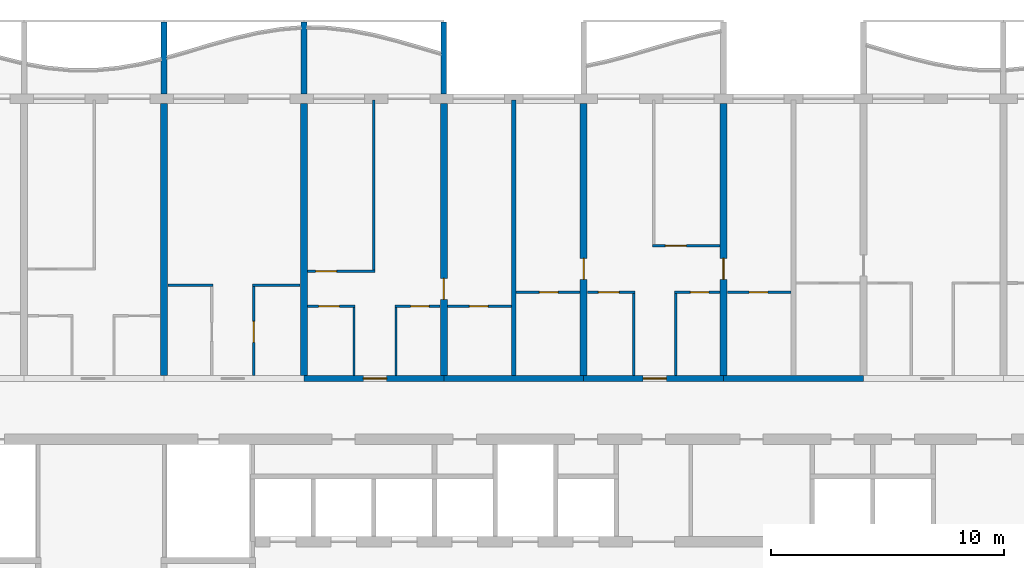
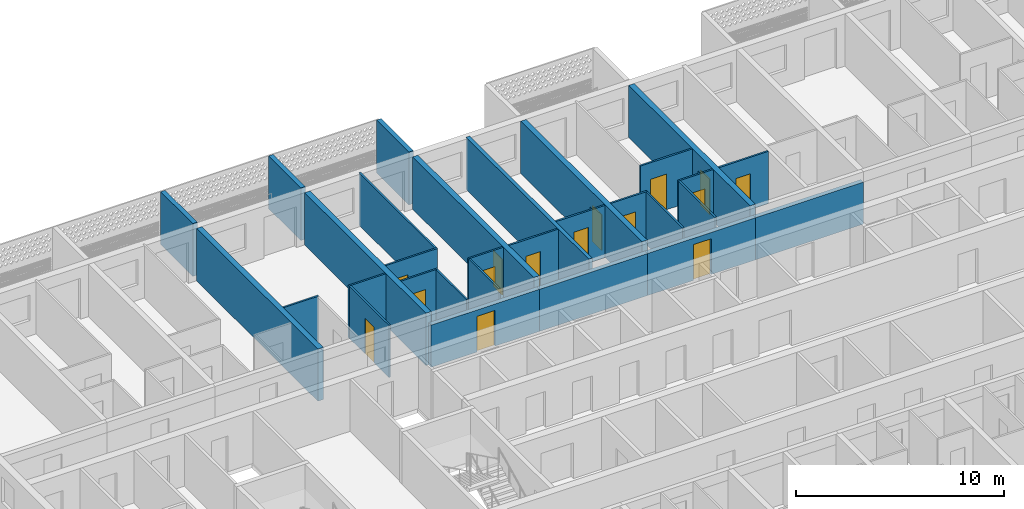
# One storey, part 9 of 32: 30 walls, 15 doors, 15 openings.
"""IFC4 building model written with IfcOpenShell, lengths in metres."""

from ifc_helpers import new_model, si_unit, direction, frame, frame_2d, origin, place, context, subcontext, project, spatial, polyline, rectangle, outline, extrude, source, transform, mapped, material, layer, layer_set, type_object, element, fill, save


model = new_model("IFC4")

# Units and contexts
model_context = context("Model", 3, precision=1e-05, world=origin(), true_north=direction((0.0, 1.0)))
body_context = subcontext(model_context, "Body", "Model", "MODEL_VIEW")
ifc_project = project(units=[si_unit("LENGTHUNIT", "METRE"), si_unit("AREAUNIT", "SQUARE_METRE"), si_unit("VOLUMEUNIT", "CUBIC_METRE"), si_unit("PLANEANGLEUNIT", "RADIAN"), si_unit("MASSUNIT", "GRAM", prefix="KILO")], contexts=[model_context])

# Site, building, storey
site_placement = place(None, origin())
site = spatial("IfcSite", under=ifc_project, at=site_placement, CompositionType="ELEMENT")
building_placement = place(site_placement, origin())
building = spatial("IfcBuilding", under=site, at=building_placement, Name="Poui Terraces", CompositionType="ELEMENT")
storey_placement = place(building_placement, frame((0.0, 0.0, 129.0)))
storey = spatial("IfcBuildingStorey", under=building, at=storey_placement, Name="L35", CompositionType="ELEMENT", Elevation=129.0)

# Wall, opening, door
ifc_material_1 = material(Name="Concrete 65 MPa", Category="concrete")
ifc_layer_1 = layer(ifc_material_1, 0.25)
ifc_layer_set_1 = layer_set([ifc_layer_1], Name="Concrete 65 MPa")
wall_type_1 = type_object("IfcWallType", Name="CORRIDOR WALL 250 65MPa", PredefinedType="SHEAR", material=ifc_layer_set_1)
wall_1_placement = place(storey_placement, frame((36.0, 30.39990234375, 0.0), z_axis=(0.0, 0.0, 1.0), x_axis=(1.0, 0.0, 0.0)))
wall_1 = element("IfcWall", 1, at=wall_1_placement, inside=storey, type_object=wall_type_1, Name="CORRIDOR WALL LINE E BAY 5", PredefinedType="SHEAR", context=body_context, shape_type="SweptSolid", body=[
    extrude(rectangle(XDim=6.0, YDim=0.25, at=frame_2d((3.0, 0.0))), origin(), (0.0, 0.0, 1.0), 2.469970703125),
])
opening_1_placement = place(wall_1_placement, frame((2.550048828125, 0.0, 0.0)))
opening_1 = element("IfcOpeningElement", 2, at=opening_1_placement, cuts=wall_1, Name="Opening FD30S", PredefinedType="OPENING", context=body_context, shape_type="SweptSolid", body=[
    extrude(rectangle(XDim=1.0, YDim=2.10009765625, at=frame_2d((0.5, 1.050048828125))), frame((0.0, 0.135009765625, 0.0), z_axis=(0.0, -1.0, 0.0), x_axis=(1.0, 0.0, 0.0)), (0.0, 0.0, 1.0), 0.27001953125),
])
ifc_material_2 = material(Name="Steel fire door", Category="steel")
door_type_1 = type_object("IfcDoorType", Name="FLAT ENTRANCE DOOR 1000 X 2100", OperationType="NOTDEFINED", PredefinedType="DOOR", material=ifc_material_2)
door_1_placement = place(opening_1_placement, origin())
door_1 = element("IfcDoor", 3, at=door_1_placement, inside=storey, type_object=door_type_1, Name="FLAT ENTRANCE DOOR 049", OperationType="SINGLE_SWING_RIGHT", OverallHeight=2.10009765625, OverallWidth=1.0, PredefinedType="DOOR", context=body_context, shape_type="SweptSolid", body=[
    extrude(rectangle(XDim=1.0, YDim=2.10009765625, at=frame_2d((0.5, 1.050048828125))), frame((0.0, 0.02490234375, 0.0), z_axis=(0.0, -1.0, 0.0), x_axis=(1.0, 0.0, 0.0)), (0.0, 0.0, 1.0), 0.050048828125),
])
fill(opening_1, door_1)

# Wall
wall_2_placement = place(storey_placement, frame((42.0, 30.39990234375, 0.0), z_axis=(0.0, 0.0, 1.0), x_axis=(1.0, 0.0, 0.0)))
element("IfcWall", 4, at=wall_2_placement, inside=storey, type_object=wall_type_1, Name="CORRIDOR WALL LINE E BAY 6", PredefinedType="SHEAR", context=body_context, shape_type="SweptSolid", body=[
    extrude(rectangle(XDim=6.0, YDim=0.25, at=frame_2d((3.0, 0.0))), origin(), (0.0, 0.0, 1.0), 2.469970703125),
])

# Wall, opening, door
wall_3_placement = place(storey_placement, frame((48.0, 30.39990234375, 0.0), z_axis=(0.0, 0.0, 1.0), x_axis=(1.0, 0.0, 0.0)))
wall_3 = element("IfcWall", 5, at=wall_3_placement, inside=storey, type_object=wall_type_1, Name="CORRIDOR WALL LINE E BAY 7", PredefinedType="SHEAR", context=body_context, shape_type="SweptSolid", body=[
    extrude(rectangle(XDim=6.0, YDim=0.25, at=frame_2d((3.0, 0.0))), origin(), (0.0, 0.0, 1.0), 2.469970703125),
])
opening_2_placement = place(wall_3_placement, frame((2.550048828125, 0.0, 0.0)))
opening_2 = element("IfcOpeningElement", 6, at=opening_2_placement, cuts=wall_3, Name="Opening FD30S", PredefinedType="OPENING", context=body_context, shape_type="SweptSolid", body=[
    extrude(rectangle(XDim=1.0, YDim=2.10009765625, at=frame_2d((0.5, 1.050048828125))), frame((0.0, 0.135009765625, 0.0), z_axis=(0.0, -1.0, 0.0), x_axis=(1.0, 0.0, 0.0)), (0.0, 0.0, 1.0), 0.27001953125),
])
door_2_placement = place(opening_2_placement, origin())
door_2 = element("IfcDoor", 7, at=door_2_placement, inside=storey, type_object=door_type_1, Name="FLAT ENTRANCE DOOR 056", OperationType="SINGLE_SWING_RIGHT", OverallHeight=2.10009765625, OverallWidth=1.0, PredefinedType="DOOR", context=body_context, shape_type="SweptSolid", body=[
    extrude(rectangle(XDim=1.0, YDim=2.10009765625, at=frame_2d((0.5, 1.050048828125))), frame((0.0, 0.02490234375, 0.0), z_axis=(0.0, -1.0, 0.0), x_axis=(1.0, 0.0, 0.0)), (0.0, 0.0, 1.0), 0.050048828125),
])
fill(opening_2, door_2)

# Walls
wall_4_placement = place(storey_placement, frame((54.0, 30.39990234375, 0.0), z_axis=(0.0, 0.0, 1.0), x_axis=(1.0, 0.0, 0.0)))
element("IfcWall", 8, at=wall_4_placement, inside=storey, type_object=wall_type_1, Name="CORRIDOR WALL LINE E BAY 8", PredefinedType="SHEAR", context=body_context, shape_type="SweptSolid", body=[
    extrude(rectangle(XDim=6.0, YDim=0.25, at=frame_2d((3.0, 0.0))), origin(), (0.0, 0.0, 1.0), 2.469970703125),
])
ifc_layer_2 = layer(ifc_material_1, 0.300048828125)
ifc_layer_set_2 = layer_set([ifc_layer_2], Name="Concrete 65 MPa")
wall_type_2 = type_object("IfcWallType", Name="CROSS WALL 300 65MPa", PredefinedType="SHEAR", material=ifc_layer_set_2)
for number, where, z_axis, x_axis, name in (
    (9, (30.0, 30.52490234375, 0.0), (0.0, 0.0, 1.0), (0.0, 1.0, 0.0), "CROSS WALL LINE 6 NORTH"),
    (10, (36.0, 30.52490234375, 0.0), (0.0, 0.0, 1.0), (0.0, 1.0, 0.0), "CROSS WALL LINE 7 NORTH"),
):
    element("IfcWall", number, at=place(storey_placement, frame(where, z_axis=z_axis, x_axis=x_axis)), inside=storey, type_object=wall_type_2, Name=name, PredefinedType="SHEAR", context=body_context, shape_type="SweptSolid", body=[
        extrude(rectangle(XDim=11.675048828125, YDim=0.300048828125, at=frame_2d((5.83740234375, 0.0))), origin(), (0.0, 0.0, 1.0), 3.070068359375),
    ])

# Wall, opening, door
wall_5_placement = place(storey_placement, frame((42.0, 30.52490234375, 0.0), z_axis=(0.0, 0.0, 1.0), x_axis=(0.0, 1.0, 0.0)))
wall_5 = element("IfcWall", 11, at=wall_5_placement, inside=storey, type_object=wall_type_2, Name="CROSS WALL LINE 8 NORTH", PredefinedType="SHEAR", context=body_context, shape_type="SweptSolid", body=[
    extrude(rectangle(XDim=11.675048828125, YDim=0.300048828125, at=frame_2d((5.83740234375, 0.0))), origin(), (0.0, 0.0, 1.0), 3.070068359375),
])
opening_3_placement = place(wall_5_placement, frame((3.27490234375, 0.0, 0.0)))
opening_3 = element("IfcOpeningElement", 12, at=opening_3_placement, cuts=wall_5, Name="Opening D90", PredefinedType="OPENING", context=body_context, shape_type="SweptSolid", body=[
    extrude(rectangle(XDim=0.89990234375, YDim=2.10009765625, at=frame_2d((0.449951171875, 1.050048828125))), frame((0.0, 0.16015625, 0.0), z_axis=(0.0, -1.0, 0.0), x_axis=(1.0, 0.0, 0.0)), (0.0, 0.0, 1.0), 0.320068359375),
])
ifc_material_3 = material(Name="Solid core timber door", Category="wood")
door_type_2 = type_object("IfcDoorType", Name="INTERNAL DOOR 900 X 2100", OperationType="NOTDEFINED", PredefinedType="DOOR", material=ifc_material_3)
door_3_placement = place(opening_3_placement, frame((0.89990234375, 0.0, 0.0), z_axis=(0.0, 0.0, 1.0), x_axis=(-1.0, 0.0, 0.0)))
door_3 = element("IfcDoor", 13, at=door_3_placement, inside=storey, type_object=door_type_2, Name="INTERNAL DOOR 051", OperationType="SINGLE_SWING_RIGHT", OverallHeight=2.10009765625, OverallWidth=0.89990234375, PredefinedType="DOOR", context=body_context, shape_type="SweptSolid", body=[
    extrude(rectangle(XDim=0.89990234375, YDim=2.10009765625, at=frame_2d((0.449951171875, 1.050048828125))), frame((0.0, 0.02490234375, 0.0), z_axis=(0.0, -1.0, 0.0), x_axis=(1.0, 0.0, 0.0)), (0.0, 0.0, 1.0), 0.050048828125),
])
fill(opening_3, door_3)

wall_6_placement = place(storey_placement, frame((48.0, 30.52490234375, 0.0), z_axis=(0.0, 0.0, 1.0), x_axis=(0.0, 1.0, 0.0)))
wall_6 = element("IfcWall", 14, at=wall_6_placement, inside=storey, type_object=wall_type_2, Name="CROSS WALL LINE 9 NORTH", PredefinedType="SHEAR", context=body_context, shape_type="SweptSolid", body=[
    extrude(rectangle(XDim=11.675048828125, YDim=0.300048828125, at=frame_2d((5.83740234375, 0.0))), origin(), (0.0, 0.0, 1.0), 3.070068359375),
])
opening_4_placement = place(wall_6_placement, frame((4.125, 0.0, 0.0)))
opening_4 = element("IfcOpeningElement", 15, at=opening_4_placement, cuts=wall_6, Name="Opening D90", PredefinedType="OPENING", context=body_context, shape_type="SweptSolid", body=[
    extrude(rectangle(XDim=0.89990234375, YDim=2.10009765625, at=frame_2d((0.449951171875, 1.050048828125))), frame((0.0, 0.16015625, 0.0), z_axis=(0.0, -1.0, 0.0), x_axis=(1.0, 0.0, 0.0)), (0.0, 0.0, 1.0), 0.320068359375),
])
door_4_placement = place(opening_4_placement, origin())
door_4 = element("IfcDoor", 16, at=door_4_placement, inside=storey, type_object=door_type_2, Name="INTERNAL DOOR 054", OperationType="SINGLE_SWING_LEFT", OverallHeight=2.10009765625, OverallWidth=0.89990234375, PredefinedType="DOOR", context=body_context, shape_type="SweptSolid", body=[
    extrude(rectangle(XDim=0.89990234375, YDim=2.10009765625, at=frame_2d((0.449951171875, 1.050048828125))), frame((0.0, 0.02490234375, 0.0), z_axis=(0.0, -1.0, 0.0), x_axis=(1.0, 0.0, 0.0)), (0.0, 0.0, 1.0), 0.050048828125),
])
fill(opening_4, door_4)

wall_7_placement = place(storey_placement, frame((54.0, 30.52490234375, 0.0), z_axis=(0.0, 0.0, 1.0), x_axis=(0.0, 1.0, 0.0)))
wall_7 = element("IfcWall", 17, at=wall_7_placement, inside=storey, type_object=wall_type_2, Name="CROSS WALL LINE 10 NORTH", PredefinedType="SHEAR", context=body_context, shape_type="SweptSolid", body=[
    extrude(rectangle(XDim=11.675048828125, YDim=0.300048828125, at=frame_2d((5.83740234375, 0.0))), origin(), (0.0, 0.0, 1.0), 3.070068359375),
])
opening_5_placement = place(wall_7_placement, frame((4.125, 0.0, 0.0)))
opening_5 = element("IfcOpeningElement", 18, at=opening_5_placement, cuts=wall_7, Name="Opening D90", PredefinedType="OPENING", context=body_context, shape_type="SweptSolid", body=[
    extrude(rectangle(XDim=0.89990234375, YDim=2.10009765625, at=frame_2d((0.449951171875, 1.050048828125))), frame((0.0, 0.16015625, 0.0), z_axis=(0.0, -1.0, 0.0), x_axis=(1.0, 0.0, 0.0)), (0.0, 0.0, 1.0), 0.320068359375),
])
door_5_placement = place(opening_5_placement, frame((0.89990234375, 0.0, 0.0), z_axis=(0.0, 0.0, 1.0), x_axis=(-1.0, 0.0, 0.0)))
door_5 = element("IfcDoor", 19, at=door_5_placement, inside=storey, type_object=door_type_2, Name="INTERNAL DOOR 059", OperationType="SINGLE_SWING_RIGHT", OverallHeight=2.10009765625, OverallWidth=0.89990234375, PredefinedType="DOOR", context=body_context, shape_type="SweptSolid", body=[
    extrude(rectangle(XDim=0.89990234375, YDim=2.10009765625, at=frame_2d((0.449951171875, 1.050048828125))), frame((0.0, 0.02490234375, 0.0), z_axis=(0.0, -1.0, 0.0), x_axis=(1.0, 0.0, 0.0)), (0.0, 0.0, 1.0), 0.050048828125),
])
fill(opening_5, door_5)

ifc_material_4 = material(Name="Plasterboard partition")
ifc_layer_3 = layer(ifc_material_4, 0.10009765625)
ifc_layer_set_3 = layer_set([ifc_layer_3], Name="Plasterboard partition")
wall_type_3 = type_object("IfcWallType", Name="FLAT PARTITION 100", PredefinedType="PARTITIONING", material=ifc_layer_set_3)
wall_8_placement = place(storey_placement, frame((36.159912109375, 33.5, 0.0), z_axis=(0.0, 0.0, 1.0), x_axis=(1.0, 0.0, 0.0)))
wall_8 = element("IfcWall", 20, at=wall_8_placement, inside=storey, type_object=wall_type_3, Name="FLAT PARTITION 100", PredefinedType="PARTITIONING", context=body_context, shape_type="SweptSolid", body=[
    extrude(rectangle(XDim=2.0400390625, YDim=0.10009765625, at=frame_2d((1.02001953125, 0.0))), origin(), (0.0, 0.0, 1.0), 3.070068359375),
])
opening_6_placement = place(wall_8_placement, frame((0.465087890625, 0.0, 0.0)))
opening_6 = element("IfcOpeningElement", 21, at=opening_6_placement, cuts=wall_8, Name="Opening D90", PredefinedType="OPENING", context=body_context, shape_type="SweptSolid", body=[
    extrude(rectangle(XDim=0.89990234375, YDim=2.10009765625, at=frame_2d((0.449951171875, 1.050048828125))), frame((0.0, 0.06005859375, 0.0), z_axis=(0.0, -1.0, 0.0), x_axis=(1.0, 0.0, 0.0)), (0.0, 0.0, 1.0), 0.1201171875),
])
door_6_placement = place(opening_6_placement, frame((0.89990234375, 0.0, 0.0), z_axis=(0.0, 0.0, 1.0), x_axis=(-1.0, 0.0, 0.0)))
door_6 = element("IfcDoor", 22, at=door_6_placement, inside=storey, type_object=door_type_2, Name="INTERNAL DOOR 048", OperationType="SINGLE_SWING_RIGHT", OverallHeight=2.10009765625, OverallWidth=0.89990234375, PredefinedType="DOOR", context=body_context, shape_type="SweptSolid", body=[
    extrude(rectangle(XDim=0.89990234375, YDim=2.10009765625, at=frame_2d((0.449951171875, 1.050048828125))), frame((0.0, 0.02490234375, 0.0), z_axis=(0.0, -1.0, 0.0), x_axis=(1.0, 0.0, 0.0)), (0.0, 0.0, 1.0), 0.050048828125),
])
fill(opening_6, door_6)

wall_9_placement = place(storey_placement, frame((39.89990234375, 33.5, 0.0), z_axis=(0.0, 0.0, 1.0), x_axis=(1.0, 0.0, 0.0)))
wall_9 = element("IfcWall", 23, at=wall_9_placement, inside=storey, type_object=wall_type_3, Name="FLAT PARTITION 100", PredefinedType="PARTITIONING", context=body_context, shape_type="SweptSolid", body=[
    extrude(rectangle(XDim=1.940185546875, YDim=0.10009765625, at=frame_2d((0.97021484375, 0.0))), origin(), (0.0, 0.0, 1.0), 3.070068359375),
])
opening_7_placement = place(wall_9_placement, frame((0.675048828125, 0.0, 0.0)))
opening_7 = element("IfcOpeningElement", 24, at=opening_7_placement, cuts=wall_9, Name="Opening D80", PredefinedType="OPENING", context=body_context, shape_type="SweptSolid", body=[
    extrude(rectangle(XDim=0.800048828125, YDim=2.10009765625, at=frame_2d((0.39990234375, 1.050048828125))), frame((0.0, 0.06005859375, 0.0), z_axis=(0.0, -1.0, 0.0), x_axis=(1.0, 0.0, 0.0)), (0.0, 0.0, 1.0), 0.1201171875),
])
door_type_3 = type_object("IfcDoorType", Name="BATHROOM, LAUNDRY AND STORE DOOR 800 X 2100", OperationType="NOTDEFINED", PredefinedType="DOOR", material=ifc_material_3)
door_7_placement = place(opening_7_placement, frame((0.800048828125, 0.0, 0.0), z_axis=(0.0, 0.0, 1.0), x_axis=(-1.0, 0.0, 0.0)))
door_7 = element("IfcDoor", 25, at=door_7_placement, inside=storey, type_object=door_type_3, Name="BATHROOM, LAUNDRY AND STORE DOOR 050", OperationType="SINGLE_SWING_LEFT", OverallHeight=2.10009765625, OverallWidth=0.800048828125, PredefinedType="DOOR", context=body_context, shape_type="SweptSolid", body=[
    extrude(rectangle(XDim=0.800048828125, YDim=2.10009765625, at=frame_2d((0.39990234375, 1.050048828125))), frame((0.0, 0.02490234375, 0.0), z_axis=(0.0, -1.0, 0.0), x_axis=(1.0, 0.0, 0.0)), (0.0, 0.0, 1.0), 0.050048828125),
])
fill(opening_7, door_7)

wall_10_placement = place(storey_placement, frame((42.159912109375, 33.5, 0.0), z_axis=(0.0, 0.0, 1.0), x_axis=(1.0, 0.0, 0.0)))
wall_10 = element("IfcWall", 26, at=wall_10_placement, inside=storey, type_object=wall_type_3, Name="FLAT PARTITION 100", PredefinedType="PARTITIONING", context=body_context, shape_type="SweptSolid", body=[
    extrude(rectangle(XDim=2.739990234375, YDim=0.10009765625, at=frame_2d((1.3701171875, 0.0))), origin(), (0.0, 0.0, 1.0), 3.070068359375),
])
opening_8_placement = place(wall_10_placement, frame((0.93994140625, 0.0, 0.0)))
opening_8 = element("IfcOpeningElement", 27, at=opening_8_placement, cuts=wall_10, Name="Opening D80", PredefinedType="OPENING", context=body_context, shape_type="SweptSolid", body=[
    extrude(rectangle(XDim=0.800048828125, YDim=2.10009765625, at=frame_2d((0.39990234375, 1.050048828125))), frame((0.0, 0.06005859375, 0.0), z_axis=(0.0, -1.0, 0.0), x_axis=(1.0, 0.0, 0.0)), (0.0, 0.0, 1.0), 0.1201171875),
])
door_8_placement = place(opening_8_placement, frame((0.800048828125, 0.0, 0.0), z_axis=(0.0, 0.0, 1.0), x_axis=(-1.0, 0.0, 0.0)))
door_8 = element("IfcDoor", 28, at=door_8_placement, inside=storey, type_object=door_type_3, Name="BATHROOM, LAUNDRY AND STORE DOOR 046", OperationType="SINGLE_SWING_RIGHT", OverallHeight=2.10009765625, OverallWidth=0.800048828125, PredefinedType="DOOR", context=body_context, shape_type="SweptSolid", body=[
    extrude(rectangle(XDim=0.800048828125, YDim=2.10009765625, at=frame_2d((0.39990234375, 1.050048828125))), frame((0.0, 0.02490234375, 0.0), z_axis=(0.0, -1.0, 0.0), x_axis=(1.0, 0.0, 0.0)), (0.0, 0.0, 1.0), 0.050048828125),
])
fill(opening_8, door_8)

wall_11_placement = place(storey_placement, frame((45.10009765625, 34.10009765625, 0.0), z_axis=(0.0, 0.0, 1.0), x_axis=(1.0, 0.0, 0.0)))
wall_11 = element("IfcWall", 29, at=wall_11_placement, inside=storey, type_object=wall_type_3, Name="FLAT PARTITION 100", PredefinedType="PARTITIONING", context=body_context, shape_type="SweptSolid", body=[
    extrude(rectangle(XDim=2.739990234375, YDim=0.10009765625, at=frame_2d((1.3701171875, 0.0))), origin(), (0.0, 0.0, 1.0), 3.070068359375),
])
opening_9_placement = place(wall_11_placement, frame((1.0, 0.0, 0.0)))
opening_9 = element("IfcOpeningElement", 30, at=opening_9_placement, cuts=wall_11, Name="Opening D80", PredefinedType="OPENING", context=body_context, shape_type="SweptSolid", body=[
    extrude(rectangle(XDim=0.800048828125, YDim=2.10009765625, at=frame_2d((0.39990234375, 1.050048828125))), frame((0.0, 0.06005859375, 0.0), z_axis=(0.0, -1.0, 0.0), x_axis=(1.0, 0.0, 0.0)), (0.0, 0.0, 1.0), 0.1201171875),
])
door_9_placement = place(opening_9_placement, frame((0.800048828125, 0.0, 0.0), z_axis=(0.0, 0.0, 1.0), x_axis=(-1.0, 0.0, 0.0)))
door_9 = element("IfcDoor", 31, at=door_9_placement, inside=storey, type_object=door_type_3, Name="BATHROOM, LAUNDRY AND STORE DOOR 052", OperationType="SINGLE_SWING_LEFT", OverallHeight=2.10009765625, OverallWidth=0.800048828125, PredefinedType="DOOR", context=body_context, shape_type="SweptSolid", body=[
    extrude(rectangle(XDim=0.800048828125, YDim=2.10009765625, at=frame_2d((0.39990234375, 1.050048828125))), frame((0.0, 0.02490234375, 0.0), z_axis=(0.0, -1.0, 0.0), x_axis=(1.0, 0.0, 0.0)), (0.0, 0.0, 1.0), 0.050048828125),
])
fill(opening_9, door_9)

wall_12_placement = place(storey_placement, frame((48.159912109375, 34.10009765625, 0.0), z_axis=(0.0, 0.0, 1.0), x_axis=(1.0, 0.0, 0.0)))
wall_12 = element("IfcWall", 32, at=wall_12_placement, inside=storey, type_object=wall_type_3, Name="FLAT PARTITION 100", PredefinedType="PARTITIONING", context=body_context, shape_type="SweptSolid", body=[
    extrude(rectangle(XDim=2.0400390625, YDim=0.10009765625, at=frame_2d((1.02001953125, 0.0))), origin(), (0.0, 0.0, 1.0), 3.070068359375),
])
opening_10_placement = place(wall_12_placement, frame((0.465087890625, 0.0, 0.0)))
opening_10 = element("IfcOpeningElement", 33, at=opening_10_placement, cuts=wall_12, Name="Opening D90", PredefinedType="OPENING", context=body_context, shape_type="SweptSolid", body=[
    extrude(rectangle(XDim=0.89990234375, YDim=2.10009765625, at=frame_2d((0.449951171875, 1.050048828125))), frame((0.0, 0.06005859375, 0.0), z_axis=(0.0, -1.0, 0.0), x_axis=(1.0, 0.0, 0.0)), (0.0, 0.0, 1.0), 0.1201171875),
])
door_10_placement = place(opening_10_placement, frame((0.89990234375, 0.0, 0.0), z_axis=(0.0, 0.0, 1.0), x_axis=(-1.0, 0.0, 0.0)))
door_10 = element("IfcDoor", 34, at=door_10_placement, inside=storey, type_object=door_type_2, Name="INTERNAL DOOR 055", OperationType="SINGLE_SWING_LEFT", OverallHeight=2.10009765625, OverallWidth=0.89990234375, PredefinedType="DOOR", context=body_context, shape_type="SweptSolid", body=[
    extrude(rectangle(XDim=0.89990234375, YDim=2.10009765625, at=frame_2d((0.449951171875, 1.050048828125))), frame((0.0, 0.02490234375, 0.0), z_axis=(0.0, -1.0, 0.0), x_axis=(1.0, 0.0, 0.0)), (0.0, 0.0, 1.0), 0.050048828125),
])
fill(opening_10, door_10)

wall_13_placement = place(storey_placement, frame((51.89990234375, 34.10009765625, 0.0), z_axis=(0.0, 0.0, 1.0), x_axis=(1.0, 0.0, 0.0)))
wall_13 = element("IfcWall", 35, at=wall_13_placement, inside=storey, type_object=wall_type_3, Name="FLAT PARTITION 100", PredefinedType="PARTITIONING", context=body_context, shape_type="SweptSolid", body=[
    extrude(rectangle(XDim=1.940185546875, YDim=0.10009765625, at=frame_2d((0.97021484375, 0.0))), origin(), (0.0, 0.0, 1.0), 3.070068359375),
])
opening_11_placement = place(wall_13_placement, frame((0.675048828125, 0.0, 0.0)))
opening_11 = element("IfcOpeningElement", 36, at=opening_11_placement, cuts=wall_13, Name="Opening D80", PredefinedType="OPENING", context=body_context, shape_type="SweptSolid", body=[
    extrude(rectangle(XDim=0.800048828125, YDim=2.10009765625, at=frame_2d((0.39990234375, 1.050048828125))), frame((0.0, 0.06005859375, 0.0), z_axis=(0.0, -1.0, 0.0), x_axis=(1.0, 0.0, 0.0)), (0.0, 0.0, 1.0), 0.1201171875),
])
door_11_placement = place(opening_11_placement, frame((0.800048828125, 0.0, 0.0), z_axis=(0.0, 0.0, 1.0), x_axis=(-1.0, 0.0, 0.0)))
door_11 = element("IfcDoor", 37, at=door_11_placement, inside=storey, type_object=door_type_3, Name="BATHROOM, LAUNDRY AND STORE DOOR 058", OperationType="SINGLE_SWING_RIGHT", OverallHeight=2.10009765625, OverallWidth=0.800048828125, PredefinedType="DOOR", context=body_context, shape_type="SweptSolid", body=[
    extrude(rectangle(XDim=0.800048828125, YDim=2.10009765625, at=frame_2d((0.39990234375, 1.050048828125))), frame((0.0, 0.02490234375, 0.0), z_axis=(0.0, -1.0, 0.0), x_axis=(1.0, 0.0, 0.0)), (0.0, 0.0, 1.0), 0.050048828125),
])
fill(opening_11, door_11)

wall_14_placement = place(storey_placement, frame((54.159912109375, 34.10009765625, 0.0), z_axis=(0.0, 0.0, 1.0), x_axis=(1.0, 0.0, 0.0)))
wall_14 = element("IfcWall", 38, at=wall_14_placement, inside=storey, type_object=wall_type_3, Name="FLAT PARTITION 100", PredefinedType="PARTITIONING", context=body_context, shape_type="SweptSolid", body=[
    extrude(rectangle(XDim=2.739990234375, YDim=0.10009765625, at=frame_2d((1.3701171875, 0.0))), origin(), (0.0, 0.0, 1.0), 3.070068359375),
])
opening_12_placement = place(wall_14_placement, frame((0.93994140625, 0.0, 0.0)))
opening_12 = element("IfcOpeningElement", 39, at=opening_12_placement, cuts=wall_14, Name="Opening D80", PredefinedType="OPENING", context=body_context, shape_type="SweptSolid", body=[
    extrude(rectangle(XDim=0.800048828125, YDim=2.10009765625, at=frame_2d((0.39990234375, 1.050048828125))), frame((0.0, 0.06005859375, 0.0), z_axis=(0.0, -1.0, 0.0), x_axis=(1.0, 0.0, 0.0)), (0.0, 0.0, 1.0), 0.1201171875),
])
door_12_placement = place(opening_12_placement, frame((0.800048828125, 0.0, 0.0), z_axis=(0.0, 0.0, 1.0), x_axis=(-1.0, 0.0, 0.0)))
door_12 = element("IfcDoor", 40, at=door_12_placement, inside=storey, type_object=door_type_3, Name="BATHROOM, LAUNDRY AND STORE DOOR 053", OperationType="SINGLE_SWING_LEFT", OverallHeight=2.10009765625, OverallWidth=0.800048828125, PredefinedType="DOOR", context=body_context, shape_type="SweptSolid", body=[
    extrude(rectangle(XDim=0.800048828125, YDim=2.10009765625, at=frame_2d((0.39990234375, 1.050048828125))), frame((0.0, 0.02490234375, 0.0), z_axis=(0.0, -1.0, 0.0), x_axis=(1.0, 0.0, 0.0)), (0.0, 0.0, 1.0), 0.050048828125),
])
fill(opening_12, door_12)

# Walls
wall_15_placement = place(storey_placement, frame((30.159912109375, 34.39990234375, 0.0), z_axis=(0.0, 0.0, 1.0), x_axis=(1.0, 0.0, 0.0)))
element("IfcWall", 41, at=wall_15_placement, inside=storey, type_object=wall_type_3, Name="FLAT PARTITION 100", PredefinedType="PARTITIONING", context=body_context, shape_type="SweptSolid", body=[
    extrude(rectangle(XDim=1.940185546875, YDim=0.10009765625, at=frame_2d((0.97021484375, 0.0))), origin(), (0.0, 0.0, 1.0), 3.070068359375),
])
wall_16_placement = place(storey_placement, frame((33.800048828125, 34.39990234375, 0.0), z_axis=(0.0, 0.0, 1.0), x_axis=(1.0, 0.0, 0.0)))
element("IfcWall", 42, at=wall_16_placement, inside=storey, type_object=wall_type_3, Name="FLAT PARTITION 100", PredefinedType="PARTITIONING", context=body_context, shape_type="SweptSolid", body=[
    extrude(rectangle(XDim=2.0400390625, YDim=0.10009765625, at=frame_2d((1.02001953125, 0.0))), origin(), (0.0, 0.0, 1.0), 3.070068359375),
])

# Wall, opening, door
wall_17_placement = place(storey_placement, frame((36.159912109375, 35.0, 0.0), z_axis=(0.0, 0.0, 1.0), x_axis=(1.0, 0.0, 0.0)))
wall_17 = element("IfcWall", 43, at=wall_17_placement, inside=storey, type_object=wall_type_3, Name="FLAT PARTITION 100", PredefinedType="PARTITIONING", context=body_context, shape_type="SweptSolid", body=[
    extrude(rectangle(XDim=2.89013671875, YDim=0.10009765625, at=frame_2d((1.445068359375, 0.0))), origin(), (0.0, 0.0, 1.0), 3.070068359375),
])
opening_13_placement = place(wall_17_placement, frame((0.340087890625, 0.0, 0.0)))
opening_13 = element("IfcOpeningElement", 44, at=opening_13_placement, cuts=wall_17, Name="Opening D90", PredefinedType="OPENING", context=body_context, shape_type="SweptSolid", body=[
    extrude(rectangle(XDim=0.89990234375, YDim=2.10009765625, at=frame_2d((0.449951171875, 1.050048828125))), frame((0.0, 0.06005859375, 0.0), z_axis=(0.0, -1.0, 0.0), x_axis=(1.0, 0.0, 0.0)), (0.0, 0.0, 1.0), 0.1201171875),
])
door_13_placement = place(opening_13_placement, frame((0.89990234375, 0.0, 0.0), z_axis=(0.0, 0.0, 1.0), x_axis=(-1.0, 0.0, 0.0)))
door_13 = element("IfcDoor", 45, at=door_13_placement, inside=storey, type_object=door_type_2, Name="INTERNAL DOOR 047", OperationType="SINGLE_SWING_LEFT", OverallHeight=2.10009765625, OverallWidth=0.89990234375, PredefinedType="DOOR", context=body_context, shape_type="SweptSolid", body=[
    extrude(rectangle(XDim=0.89990234375, YDim=2.10009765625, at=frame_2d((0.449951171875, 1.050048828125))), frame((0.0, 0.02490234375, 0.0), z_axis=(0.0, -1.0, 0.0), x_axis=(1.0, 0.0, 0.0)), (0.0, 0.0, 1.0), 0.050048828125),
])
fill(opening_13, door_13)

wall_18_placement = place(storey_placement, frame((50.949951171875, 36.10009765625, 0.0), z_axis=(0.0, 0.0, 1.0), x_axis=(1.0, 0.0, 0.0)))
wall_18 = element("IfcWall", 46, at=wall_18_placement, inside=storey, type_object=wall_type_3, Name="FLAT PARTITION 100", PredefinedType="PARTITIONING", context=body_context, shape_type="SweptSolid", body=[
    extrude(rectangle(XDim=2.89013671875, YDim=0.10009765625, at=frame_2d((1.445068359375, 0.0))), origin(), (0.0, 0.0, 1.0), 3.070068359375),
])
opening_14_placement = place(wall_18_placement, frame((0.550048828125, 0.0, 0.0)))
opening_14 = element("IfcOpeningElement", 47, at=opening_14_placement, cuts=wall_18, Name="Opening D90", PredefinedType="OPENING", context=body_context, shape_type="SweptSolid", body=[
    extrude(rectangle(XDim=0.89990234375, YDim=2.10009765625, at=frame_2d((0.449951171875, 1.050048828125))), frame((0.0, 0.06005859375, 0.0), z_axis=(0.0, -1.0, 0.0), x_axis=(1.0, 0.0, 0.0)), (0.0, 0.0, 1.0), 0.1201171875),
])
door_14_placement = place(opening_14_placement, frame((0.89990234375, 0.0, 0.0), z_axis=(0.0, 0.0, 1.0), x_axis=(-1.0, 0.0, 0.0)))
door_14 = element("IfcDoor", 48, at=door_14_placement, inside=storey, type_object=door_type_2, Name="INTERNAL DOOR 057", OperationType="SINGLE_SWING_LEFT", OverallHeight=2.10009765625, OverallWidth=0.89990234375, PredefinedType="DOOR", context=body_context, shape_type="SweptSolid", body=[
    extrude(rectangle(XDim=0.89990234375, YDim=2.10009765625, at=frame_2d((0.449951171875, 1.050048828125))), frame((0.0, 0.02490234375, 0.0), z_axis=(0.0, -1.0, 0.0), x_axis=(1.0, 0.0, 0.0)), (0.0, 0.0, 1.0), 0.050048828125),
])
fill(opening_14, door_14)

wall_19_placement = place(storey_placement, frame((33.85009765625, 30.534912109375, 0.0), z_axis=(0.0, 0.0, 1.0), x_axis=(0.0, 1.0, 0.0)))
wall_19 = element("IfcWall", 49, at=wall_19_placement, inside=storey, type_object=wall_type_3, Name="FLAT PARTITION 100", PredefinedType="PARTITIONING", context=body_context, shape_type="SweptSolid", body=[
    extrude(rectangle(XDim=3.815185546875, YDim=0.10009765625, at=frame_2d((1.90771484375, 0.0))), origin(), (0.0, 0.0, 1.0), 3.070068359375),
])
opening_15_placement = place(wall_19_placement, frame((1.4150390625, 0.0, 0.0)))
opening_15 = element("IfcOpeningElement", 50, at=opening_15_placement, cuts=wall_19, Name="Opening D90", PredefinedType="OPENING", context=body_context, shape_type="SweptSolid", body=[
    extrude(rectangle(XDim=0.89990234375, YDim=2.10009765625, at=frame_2d((0.449951171875, 1.050048828125))), frame((0.0, 0.06005859375, 0.0), z_axis=(0.0, -1.0, 0.0), x_axis=(1.0, 0.0, 0.0)), (0.0, 0.0, 1.0), 0.1201171875),
])
door_15_placement = place(opening_15_placement, frame((0.89990234375, 0.0, 0.0), z_axis=(0.0, 0.0, 1.0), x_axis=(-1.0, 0.0, 0.0)))
door_15 = element("IfcDoor", 51, at=door_15_placement, inside=storey, type_object=door_type_2, Name="INTERNAL DOOR 045", OperationType="SINGLE_SWING_LEFT", OverallHeight=2.10009765625, OverallWidth=0.89990234375, PredefinedType="DOOR", context=body_context, shape_type="SweptSolid", body=[
    extrude(rectangle(XDim=0.89990234375, YDim=2.10009765625, at=frame_2d((0.449951171875, 1.050048828125))), frame((0.0, 0.02490234375, 0.0), z_axis=(0.0, -1.0, 0.0), x_axis=(1.0, 0.0, 0.0)), (0.0, 0.0, 1.0), 0.050048828125),
])
fill(opening_15, door_15)

# Walls
wall_20_placement = place(storey_placement, frame((38.14990234375, 30.534912109375, 0.0), z_axis=(0.0, 0.0, 1.0), x_axis=(0.0, 1.0, 0.0)))
element("IfcWall", 52, at=wall_20_placement, inside=storey, type_object=wall_type_3, Name="FLAT PARTITION 100", PredefinedType="PARTITIONING", context=body_context, shape_type="SweptSolid", body=[
    extrude(rectangle(XDim=2.9150390625, YDim=0.10009765625, at=frame_2d((1.45751953125, 0.0))), origin(), (0.0, 0.0, 1.0), 3.070068359375),
])
wall_21_placement = place(storey_placement, frame((39.0, 35.050048828125, 0.0), z_axis=(0.0, 0.0, 1.0), x_axis=(0.0, 1.0, 0.0)))
element("IfcWall", 53, at=wall_21_placement, inside=storey, type_object=wall_type_3, Name="FLAT PARTITION 100", PredefinedType="PARTITIONING", context=body_context, shape_type="SweptSolid", body=[
    extrude(rectangle(XDim=7.2900390625, YDim=0.10009765625, at=frame_2d((3.64501953125, 0.0))), origin(), (0.0, 0.0, 1.0), 3.070068359375),
])
wall_22_placement = place(storey_placement, frame((39.949951171875, 30.534912109375, 0.0), z_axis=(0.0, 0.0, 1.0), x_axis=(0.0, 1.0, 0.0)))
element("IfcWall", 54, at=wall_22_placement, inside=storey, type_object=wall_type_3, Name="FLAT PARTITION 100", PredefinedType="PARTITIONING", context=body_context, shape_type="SweptSolid", body=[
    extrude(rectangle(XDim=2.9150390625, YDim=0.10009765625, at=frame_2d((1.45751953125, 0.0))), origin(), (0.0, 0.0, 1.0), 3.070068359375),
])
for number, where, z_axis, x_axis, name in (
    (55, (50.14990234375, 30.534912109375, 0.0), (0.0, 0.0, 1.0), (0.0, 1.0, 0.0), "FLAT PARTITION 100"),
    (56, (51.949951171875, 30.534912109375, 0.0), (0.0, 0.0, 1.0), (0.0, 1.0, 0.0), "FLAT PARTITION 100"),
):
    element("IfcWall", number, at=place(storey_placement, frame(where, z_axis=z_axis, x_axis=x_axis)), inside=storey, type_object=wall_type_3, Name=name, PredefinedType="PARTITIONING", context=body_context, shape_type="SweptSolid", body=[
        extrude(rectangle(XDim=3.51513671875, YDim=0.10009765625, at=frame_2d((1.757568359375, 0.0))), origin(), (0.0, 0.0, 1.0), 3.070068359375),
    ])
ifc_material_5 = material(Name="Fire-rated masonry wall", Category="masonry")
ifc_layer_4 = layer(ifc_material_5, 0.199951171875)
ifc_layer_set_4 = layer_set([ifc_layer_4], Name="Fire-rated masonry wall")
wall_type_4 = type_object("IfcWallType", Name="FLAT PARTY WALL 200", PredefinedType="PARTITIONING", material=ifc_layer_set_4)
wall_23_placement = place(storey_placement, frame((45.0, 30.534912109375, 0.0), z_axis=(0.0, 0.0, 1.0), x_axis=(0.0, 1.0, 0.0)))
element("IfcWall", 57, at=wall_23_placement, inside=storey, type_object=wall_type_4, Name="FLAT PARTY WALL 200", PredefinedType="PARTITIONING", context=body_context, shape_type="SweptSolid", body=[
    extrude(rectangle(XDim=11.80517578125, YDim=0.199951171875, at=frame_2d((5.902587890625, 0.0))), origin(), (0.0, 0.0, 1.0), 3.070068359375),
])
ifc_material_6 = material(Name="Precast concrete 40 MPa", Category="concrete")
ifc_layer_5 = layer(ifc_material_6, 0.25)
ifc_layer_set_5 = layer_set([ifc_layer_5], Name="Precast concrete 40 MPa")
wall_type_5 = type_object("IfcWallType", Name="BALCONY FIN 250", PredefinedType="STANDARD", material=ifc_layer_set_5)
shared_shape = source(origin(), body_context, "Body", "SweptSolid", [
    extrude(outline(polyline([(0.0, 0.0), (0.25, 0.0), (0.25, 3.099853515625), (0.0, 3.099853515625), (0.0, 0.0)])), origin(), (0.0, 0.0, 1.0), 3.10009765625),
])
for number, where, name in (
    (58, (29.875, 42.60009765625, 0.0), "BALCONY FIN"),
    (59, (35.875, 42.60009765625, 0.0), "BALCONY FIN"),
    (60, (41.875, 42.60009765625, 0.0), "BALCONY FIN"),
):
    element("IfcWall", number, at=place(storey_placement, frame(where)), inside=storey, type_object=wall_type_5, Name=name, PredefinedType="STANDARD", context=body_context, shape_type="MappedRepresentation", body=[
        mapped(shared_shape, transform((0.0, 0.0, 0.0))),
    ])

save(model, "model.ifc")
